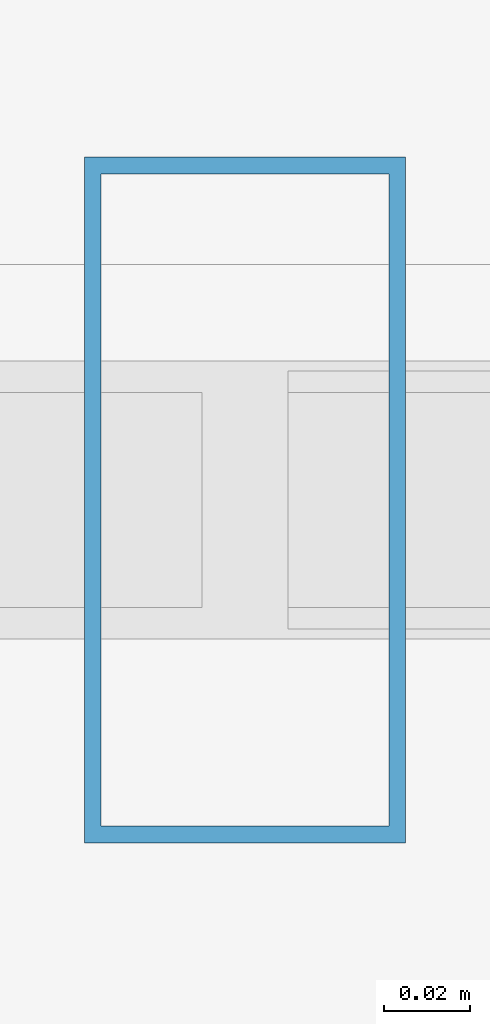
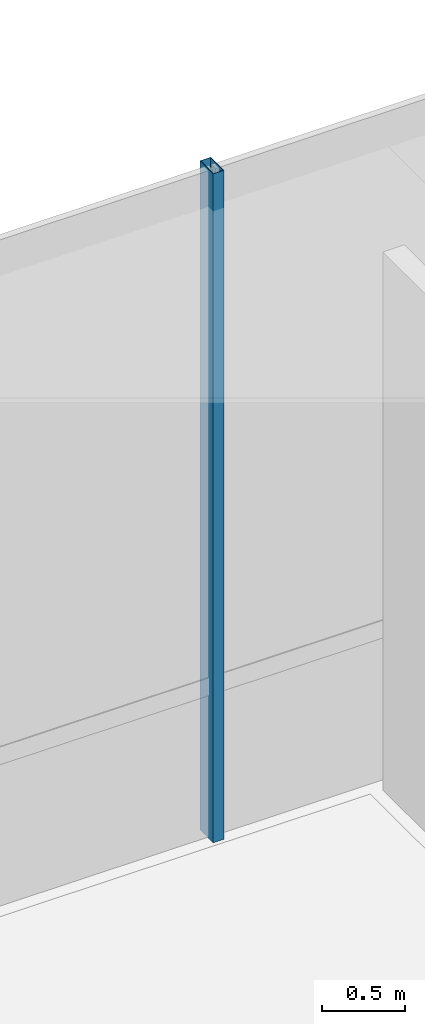
# One storey, part 16 of 39: 1 member, 1 element without a shape of its own.
"""IFC4 building model written with IfcOpenShell, lengths in metres."""

from ifc_helpers import new_model, si_unit, direction, frame, origin, origin_2d, place, context, subcontext, project, spatial, hollow_rectangle, extrude, source, transform, mapped, material, material_profile, profile_set, type_object, element, aggregate, save


model = new_model("IFC4")

# Units and contexts
model_context = context("Model", 3, precision=1e-05, world=origin(), true_north=direction((0.0, 1.0)))
body_context = subcontext(model_context, "Body", "Model", "MODEL_VIEW")
ifc_project = project(units=[si_unit("LENGTHUNIT", "METRE"), si_unit("AREAUNIT", "SQUARE_METRE"), si_unit("VOLUMEUNIT", "CUBIC_METRE"), si_unit("PLANEANGLEUNIT", "RADIAN"), si_unit("MASSUNIT", "GRAM", prefix="KILO")], contexts=[model_context])

# Site, building, storey
site_placement = place(None, origin())
site = spatial("IfcSite", under=ifc_project, at=site_placement, CompositionType="ELEMENT")
building_placement = place(site_placement, origin())
building = spatial("IfcBuilding", under=site, at=building_placement, Name="Valdorenza Pilgrim Sanctuary Tower", CompositionType="ELEMENT")
storey_placement = place(building_placement, frame((0.0, 0.0, 5.199951171875)))
storey = spatial("IfcBuildingStorey", under=building, at=storey_placement, Name="L01", CompositionType="ELEMENT", Elevation=5.199951171875)

# Curtain wall, member
ifc_material_1 = material(Name="Curtain-wall IGU glazing", Category="glass")
curtain_wall_type = type_object("IfcCurtainWallType", Name="CW-SYS-01", PredefinedType="NOTDEFINED", material=ifc_material_1)
curtain_wall_placement = place(storey_placement, origin())
curtain_wall = element("IfcCurtainWall", 1, at=curtain_wall_placement, inside=storey, type_object=curtain_wall_type, Name="L01 Curtain Wall CW-POD-L01-NN", PredefinedType="NOTDEFINED")
ifc_material_2 = material(Name="Anodised aluminium AW-6060", Category="aluminium")
ifc_material_profile = material_profile(ifc_material_2, hollow_rectangle(XDim=0.074951171875, YDim=0.159912109375, WallThickness=0.00390625, at=origin_2d()), Name="ALU-M 160x75x4")
ifc_profile_set = profile_set([ifc_material_profile], Name="Anodised aluminium AW-6060")
member_type = type_object("IfcMemberType", Name="CW-MUL-01", PredefinedType="MULLION", material=ifc_profile_set)
shared_shape = source(origin(), body_context, "Body", "SweptSolid", [
    extrude(hollow_rectangle(XDim=0.074951171875, YDim=0.159912109375, WallThickness=0.00390625, at=origin_2d()), origin(), (0.0, 0.0, 1.0), 4.920166015625),
])
member_placement = place(storey_placement, frame((0.0, 22.85009765625, 0.0), z_axis=(0.0, 0.0, 1.0), x_axis=(1.0, 0.0, 0.0)))
member = element("IfcMember", 2, at=member_placement, type_object=member_type, Name="CW-POD-L01-NN Mullion 3", PredefinedType="MULLION", context=body_context, shape_type="MappedRepresentation", body=[
    mapped(shared_shape, transform((0.0, 0.0, 0.0), x_axis=(1.0, 0.0, 0.0), y_axis=(0.0, 1.0, 0.0), z_axis=(0.0, 0.0, 1.0), scale=1.0)),
])
aggregate(curtain_wall, [member])

save(model, "model.ifc")
